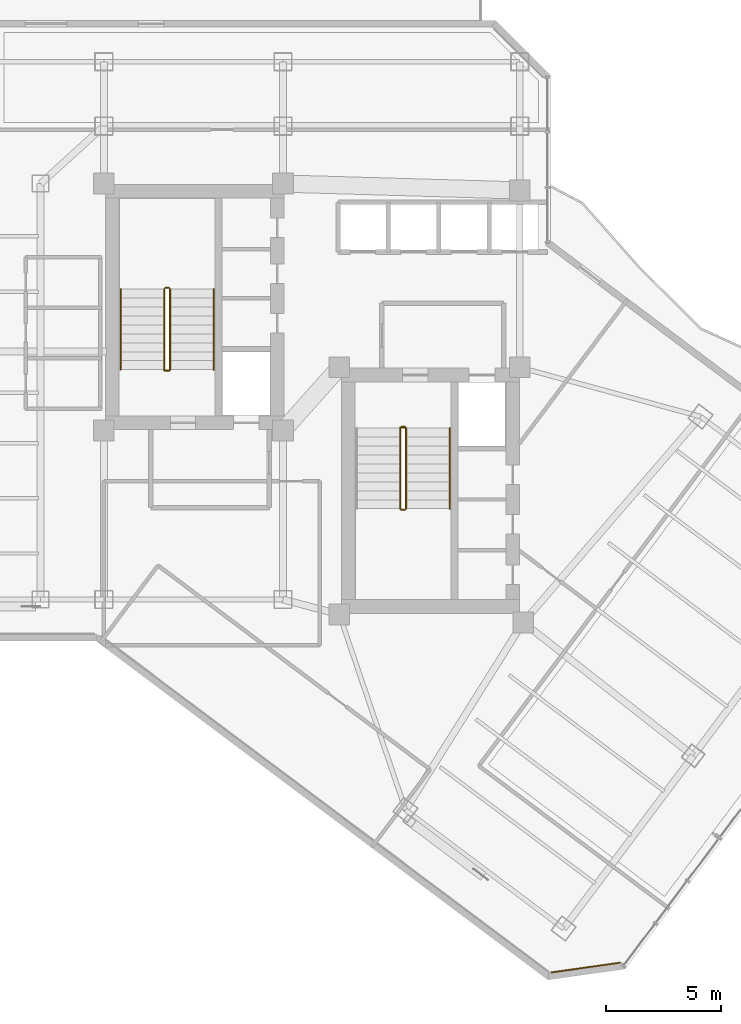
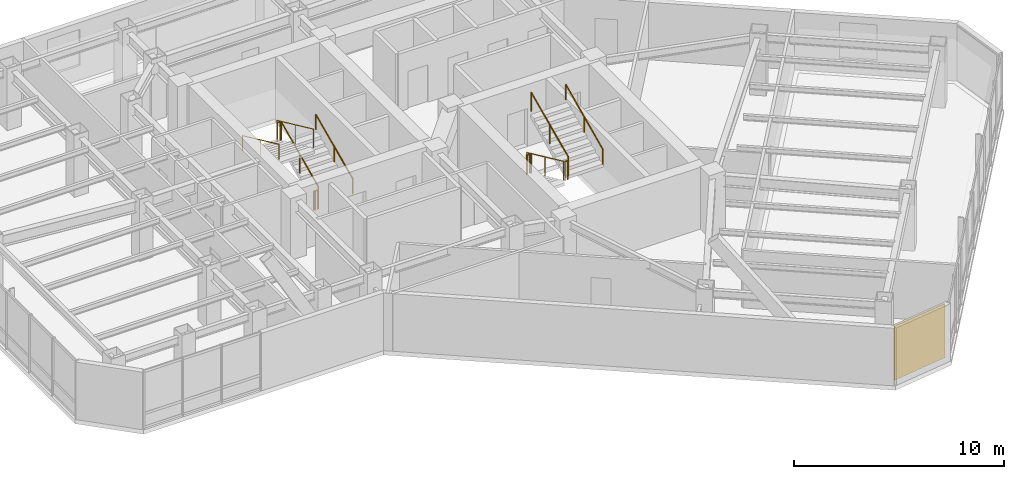
# One storey, part 26 of 28: 13 railings, 1 covering.
"""IFC4 building model written with IfcOpenShell, lengths in metres."""

from ifc_helpers import new_model, si_unit, direction, frame, origin, origin_2d, place, context, subcontext, project, spatial, rectangle, circle, extrude, material, layer, layer_set, type_object, element, save


model = new_model("IFC4")

# Units and contexts
model_context = context("Model", 3, precision=1e-05, world=origin(), true_north=direction((0.0, 1.0)))
body_context = subcontext(model_context, "Body", "Model", "MODEL_VIEW")
ifc_project = project(units=[si_unit("LENGTHUNIT", "METRE"), si_unit("AREAUNIT", "SQUARE_METRE"), si_unit("VOLUMEUNIT", "CUBIC_METRE"), si_unit("PLANEANGLEUNIT", "RADIAN"), si_unit("MASSUNIT", "GRAM", prefix="KILO")], contexts=[model_context])

# Site, building, storey
site_placement = place(None, origin())
site = spatial("IfcSite", under=ifc_project, at=site_placement, CompositionType="ELEMENT")
building_placement = place(site_placement, origin())
building = spatial("IfcBuilding", under=site, at=building_placement, Name="Hatsunagi Terrace Concourse", CompositionType="ELEMENT")
storey_placement = place(building_placement, frame((0.0, 0.0, 170.85009765625)))
storey = spatial("IfcBuildingStorey", under=building, at=storey_placement, Name="L45", CompositionType="ELEMENT", Elevation=170.85009765625)

# Railings
ifc_material_1 = material(Name="Stainless steel", Category="steel")
ifc_layer_1 = layer(ifc_material_1, 0.044921875)
ifc_layer_set_1 = layer_set([ifc_layer_1], Name="StairPitchHandrail_Tower2000")
railing_type_1 = type_object("IfcRailingType", Name="StairPitchHandrail_Tower2000", PredefinedType="HANDRAIL", material=ifc_layer_set_1)
railing_1_placement = place(storey_placement, frame((30.330078125, 35.199951171875, 0.179931640625)))
element("IfcRailing", 1, at=railing_1_placement, inside=storey, type_object=railing_type_1, Name="L45 ST-A stair handrail 1", PredefinedType="HANDRAIL", context=body_context, shape_type="SweptSolid", body=[
    extrude(circle(Radius=0.02392578125, at=origin_2d()), frame((0.0, 0.0, 0.8759765625), z_axis=(0.0, 0.907972323039, 0.419030142823), x_axis=(-1.0, 0.0, 0.0)), (0.0, 0.0, 1.0), 3.86572265625),
    extrude(circle(Radius=0.02099609375, at=origin_2d()), origin(), (0.0, 0.0, 1.0), 0.851806640625),
    extrude(circle(Radius=0.02099609375, at=origin_2d()), frame((0.0, 1.7548828125, 0.81005859375)), (0.0, 0.0, 1.0), 0.851806640625),
    extrude(circle(Radius=0.02099609375, at=origin_2d()), frame((0.0, 3.510009765625, 1.619873046875)), (0.0, 0.0, 1.0), 0.851806640625),
])
railing_2_placement = place(storey_placement, frame((26.280029296875, 38.7099609375, 1.97998046875)))
element("IfcRailing", 2, at=railing_2_placement, inside=storey, type_object=railing_type_1, Name="L45 ST-A stair handrail 2", PredefinedType="HANDRAIL", context=body_context, shape_type="SweptSolid", body=[
    extrude(circle(Radius=0.02392578125, at=origin_2d()), frame((0.0, 0.0, 0.8759765625), z_axis=(0.0, -0.907972323039, 0.419030142823), x_axis=(1.0, 0.0, 0.0)), (0.0, 0.0, 1.0), 3.86572265625),
    extrude(circle(Radius=0.02099609375, at=origin_2d()), origin(), (0.0, 0.0, 1.0), 0.851806640625),
    extrude(circle(Radius=0.02099609375, at=origin_2d()), frame((0.0, -1.7548828125, 0.81005859375)), (0.0, 0.0, 1.0), 0.851806640625),
    extrude(circle(Radius=0.02099609375, at=origin_2d()), frame((0.0, -3.510009765625, 1.619873046875)), (0.0, 0.0, 1.0), 0.851806640625),
])
railing_3_placement = place(storey_placement, frame((40.60009765625, 29.14990234375, 1.97998046875)))
element("IfcRailing", 3, at=railing_3_placement, inside=storey, type_object=railing_type_1, Name="L45 ST-B stair handrail 2", PredefinedType="HANDRAIL", context=body_context, shape_type="SweptSolid", body=[
    extrude(circle(Radius=0.02392578125, at=origin_2d()), frame((0.0, 0.0, 0.8759765625), z_axis=(0.0, 0.907972323039, 0.419030142823), x_axis=(-1.0, 0.0, 0.0)), (0.0, 0.0, 1.0), 3.86572265625),
    extrude(circle(Radius=0.02099609375, at=origin_2d()), origin(), (0.0, 0.0, 1.0), 0.851806640625),
    extrude(circle(Radius=0.02099609375, at=origin_2d()), frame((0.0, 1.7548828125, 0.81005859375)), (0.0, 0.0, 1.0), 0.851806640625),
    extrude(circle(Radius=0.02099609375, at=origin_2d()), frame((0.0, 3.510009765625, 1.619873046875)), (0.0, 0.0, 1.0), 0.851806640625),
])
ifc_material_2 = material(Name="Stainless steel", Category="steel")
ifc_layer_2 = layer(ifc_material_2, 0.06005859375)
ifc_layer_set_2 = layer_set([ifc_layer_2], Name="StairWellGuard_Tower2000")
railing_type_2 = type_object("IfcRailingType", Name="StairWellGuard_Tower2000", PredefinedType="BALUSTRADE", material=ifc_layer_set_2)
railing_4_placement = place(storey_placement, frame((28.429931640625, 35.199951171875, 0.179931640625)))
element("IfcRailing", 4, at=railing_4_placement, inside=storey, type_object=railing_type_2, Name="L45 ST-A stair guard 1", PredefinedType="BALUSTRADE", context=body_context, shape_type="SweptSolid", body=[
    extrude(circle(Radius=0.02392578125, at=origin_2d()), frame((0.0, 0.0, 1.09619140625), z_axis=(0.0, 0.907972323039, 0.419030142823), x_axis=(-1.0, 0.0, 0.0)), (0.0, 0.0, 1.0), 3.86572265625),
    extrude(circle(Radius=0.02099609375, at=origin_2d()), origin(), (0.0, 0.0, 1.0), 1.072021484375),
    extrude(circle(Radius=0.02099609375, at=origin_2d()), frame((0.0, 1.7548828125, 0.81005859375)), (0.0, 0.0, 1.0), 1.072021484375),
    extrude(circle(Radius=0.02099609375, at=origin_2d()), frame((0.0, 3.510009765625, 1.619873046875)), (0.0, 0.0, 1.0), 1.072021484375),
])
railing_5_placement = place(storey_placement, frame((28.3798828125, 38.760009765625, 1.7998046875)))
element("IfcRailing", 5, at=railing_5_placement, inside=storey, type_object=railing_type_2, Name="L45 ST-A stair guard 2", PredefinedType="BALUSTRADE", context=body_context, shape_type="SweptSolid", body=[
    extrude(circle(Radius=0.02392578125, at=origin_2d()), frame((0.0, 0.0, 1.09619140625), z_axis=(-1.0, 0.0, 0.0), x_axis=(0.0, -1.0, 0.0)), (0.0, 0.0, 1.0), 0.14990234375),
    extrude(circle(Radius=0.02099609375, at=origin_2d()), origin(), (0.0, 0.0, 1.0), 1.072021484375),
    extrude(circle(Radius=0.02099609375, at=origin_2d()), frame((-0.14990234375, 0.0, 0.0)), (0.0, 0.0, 1.0), 1.072021484375),
])
railing_6_placement = place(storey_placement, frame((28.179931640625, 38.7099609375, 1.97998046875)))
element("IfcRailing", 6, at=railing_6_placement, inside=storey, type_object=railing_type_2, Name="L45 ST-A stair guard 3", PredefinedType="BALUSTRADE", context=body_context, shape_type="SweptSolid", body=[
    extrude(circle(Radius=0.02392578125, at=origin_2d()), frame((0.0, 0.0, 1.09619140625), z_axis=(0.0, -0.907972323039, 0.419030142823), x_axis=(1.0, 0.0, 0.0)), (0.0, 0.0, 1.0), 3.86572265625),
    extrude(circle(Radius=0.02099609375, at=origin_2d()), origin(), (0.0, 0.0, 1.0), 1.072021484375),
    extrude(circle(Radius=0.02099609375, at=origin_2d()), frame((0.0, -1.7548828125, 0.81005859375)), (0.0, 0.0, 1.0), 1.072021484375),
    extrude(circle(Radius=0.02099609375, at=origin_2d()), frame((0.0, -3.510009765625, 1.619873046875)), (0.0, 0.0, 1.0), 1.072021484375),
])
railing_7_placement = place(storey_placement, frame((28.3798828125, 35.14990234375, 0.0)))
element("IfcRailing", 7, at=railing_7_placement, inside=storey, type_object=railing_type_2, Name="L45 ST-A stair guard 4", PredefinedType="BALUSTRADE", context=body_context, shape_type="SweptSolid", body=[
    extrude(circle(Radius=0.02392578125, at=origin_2d()), frame((0.0, 0.0, 1.09619140625), z_axis=(-1.0, 0.0, 0.0), x_axis=(0.0, -1.0, 0.0)), (0.0, 0.0, 1.0), 0.14990234375),
    extrude(circle(Radius=0.02099609375, at=origin_2d()), origin(), (0.0, 0.0, 1.0), 1.072021484375),
    extrude(circle(Radius=0.02099609375, at=origin_2d()), frame((-0.14990234375, 0.0, 0.0)), (0.0, 0.0, 1.0), 1.072021484375),
])
railing_8_placement = place(storey_placement, frame((38.449951171875, 32.659912109375, 0.179931640625)))
element("IfcRailing", 8, at=railing_8_placement, inside=storey, type_object=railing_type_2, Name="L45 ST-B stair guard 1", PredefinedType="BALUSTRADE", context=body_context, shape_type="SweptSolid", body=[
    extrude(circle(Radius=0.02392578125, at=origin_2d()), frame((0.0, 0.0, 1.09619140625), z_axis=(0.0, -0.907972323039, 0.419030142823), x_axis=(1.0, 0.0, 0.0)), (0.0, 0.0, 1.0), 3.86572265625),
    extrude(circle(Radius=0.02099609375, at=origin_2d()), origin(), (0.0, 0.0, 1.0), 1.072021484375),
    extrude(circle(Radius=0.02099609375, at=origin_2d()), frame((0.0, -1.7548828125, 0.81005859375)), (0.0, 0.0, 1.0), 1.072021484375),
    extrude(circle(Radius=0.02099609375, at=origin_2d()), frame((0.0, -3.510009765625, 1.619873046875)), (0.0, 0.0, 1.0), 1.072021484375),
])
railing_9_placement = place(storey_placement, frame((38.5, 29.10009765625, 1.7998046875)))
element("IfcRailing", 9, at=railing_9_placement, inside=storey, type_object=railing_type_2, Name="L45 ST-B stair guard 2", PredefinedType="BALUSTRADE", context=body_context, shape_type="SweptSolid", body=[
    extrude(circle(Radius=0.02392578125, at=origin_2d()), frame((0.0, 0.0, 1.09619140625), z_axis=(1.0, 0.0, 0.0), x_axis=(0.0, 1.0, 0.0)), (0.0, 0.0, 1.0), 0.14990234375),
    extrude(circle(Radius=0.02099609375, at=origin_2d()), origin(), (0.0, 0.0, 1.0), 1.072021484375),
    extrude(circle(Radius=0.02099609375, at=origin_2d()), frame((0.14990234375, 0.0, 0.0)), (0.0, 0.0, 1.0), 1.072021484375),
])
railing_10_placement = place(storey_placement, frame((38.699951171875, 29.14990234375, 1.97998046875)))
element("IfcRailing", 10, at=railing_10_placement, inside=storey, type_object=railing_type_2, Name="L45 ST-B stair guard 3", PredefinedType="BALUSTRADE", context=body_context, shape_type="SweptSolid", body=[
    extrude(circle(Radius=0.02392578125, at=origin_2d()), frame((0.0, 0.0, 1.09619140625), z_axis=(0.0, 0.907972323039, 0.419030142823), x_axis=(-1.0, 0.0, 0.0)), (0.0, 0.0, 1.0), 3.86572265625),
    extrude(circle(Radius=0.02099609375, at=origin_2d()), origin(), (0.0, 0.0, 1.0), 1.072021484375),
    extrude(circle(Radius=0.02099609375, at=origin_2d()), frame((0.0, 1.7548828125, 0.81005859375)), (0.0, 0.0, 1.0), 1.072021484375),
    extrude(circle(Radius=0.02099609375, at=origin_2d()), frame((0.0, 3.510009765625, 1.619873046875)), (0.0, 0.0, 1.0), 1.072021484375),
])
railing_11_placement = place(storey_placement, frame((38.5, 32.7099609375, 0.0)))
element("IfcRailing", 11, at=railing_11_placement, inside=storey, type_object=railing_type_2, Name="L45 ST-B stair guard 4", PredefinedType="BALUSTRADE", context=body_context, shape_type="SweptSolid", body=[
    extrude(circle(Radius=0.02392578125, at=origin_2d()), frame((0.0, 0.0, 1.09619140625), z_axis=(1.0, 0.0, 0.0), x_axis=(0.0, 1.0, 0.0)), (0.0, 0.0, 1.0), 0.14990234375),
    extrude(circle(Radius=0.02099609375, at=origin_2d()), origin(), (0.0, 0.0, 1.0), 1.072021484375),
    extrude(circle(Radius=0.02099609375, at=origin_2d()), frame((0.14990234375, 0.0, 0.0)), (0.0, 0.0, 1.0), 1.072021484375),
])
ifc_material_3 = material(Name="Stainless Steel SUS316 Post-and-Rail Guard", Category="steel")
ifc_layer_3 = layer(ifc_material_3, 0.080078125)
ifc_layer_set_3 = layer_set([ifc_layer_3], Name="TerracePlantedGuardRail_1200")
railing_type_3 = type_object("IfcRailingType", Name="TerracePlantedGuardRail_1200", PredefinedType="GUARDRAIL", material=ifc_layer_set_3)
for number, where, name in (
    (12, (28.179931640625, 35.179931640625, 0.0), "Stair ST-A Well Closure Guard L45"),
    (13, (38.449951171875, 32.679931640625, 0.0), "Stair ST-B Well Closure Guard L45"),
):
    element("IfcRailing", number, at=place(storey_placement, frame(where)), inside=storey, type_object=railing_type_3, Name=name, PredefinedType="GUARDRAIL", context=body_context, shape_type="SweptSolid", body=[
        extrude(circle(Radius=0.02392578125, at=origin_2d()), frame((0.0, 0.0, 1.09619140625), z_axis=(1.0, 0.0, 0.0), x_axis=(0.0, 1.0, 0.0)), (0.0, 0.0, 1.0), 0.25),
        extrude(circle(Radius=0.02099609375, at=origin_2d()), origin(), (0.0, 0.0, 1.0), 1.072021484375),
        extrude(circle(Radius=0.02099609375, at=origin_2d()), frame((0.25, 0.0, 0.0)), (0.0, 0.0, 1.0), 1.072021484375),
    ])

# Covering
ifc_material_4 = material(Name="Unglazed Warm Terracotta Rainscreen Tile", Category="masonry")
ifc_layer_4 = layer(ifc_material_4, 0.044921875)
ifc_layer_set_4 = layer_set([ifc_layer_4], Name="TerracottaRainscreenCladding_45")
covering_type = type_object("IfcCoveringType", Name="TerracottaRainscreenCladding_45", PredefinedType="CLADDING", material=ifc_layer_set_4)
covering_placement = place(storey_placement, frame((46.51806640625, 9.178955078125, 0.099853515625), z_axis=(0.0, 0.0, 1.0), x_axis=(-0.989973920543, -0.141250262458, 0.0)))
element("IfcCovering", 14, at=covering_placement, inside=storey, type_object=covering_type, Name="Terracotta Rainscreen Cladding L45-04", PredefinedType="CLADDING", context=body_context, shape_type="SweptSolid", body=[
    extrude(rectangle(XDim=3.0380859375, YDim=0.044921875, at=origin_2d()), origin(), (0.0, 0.0, 1.0), 3.14990234375),
])

save(model, "model.ifc")
